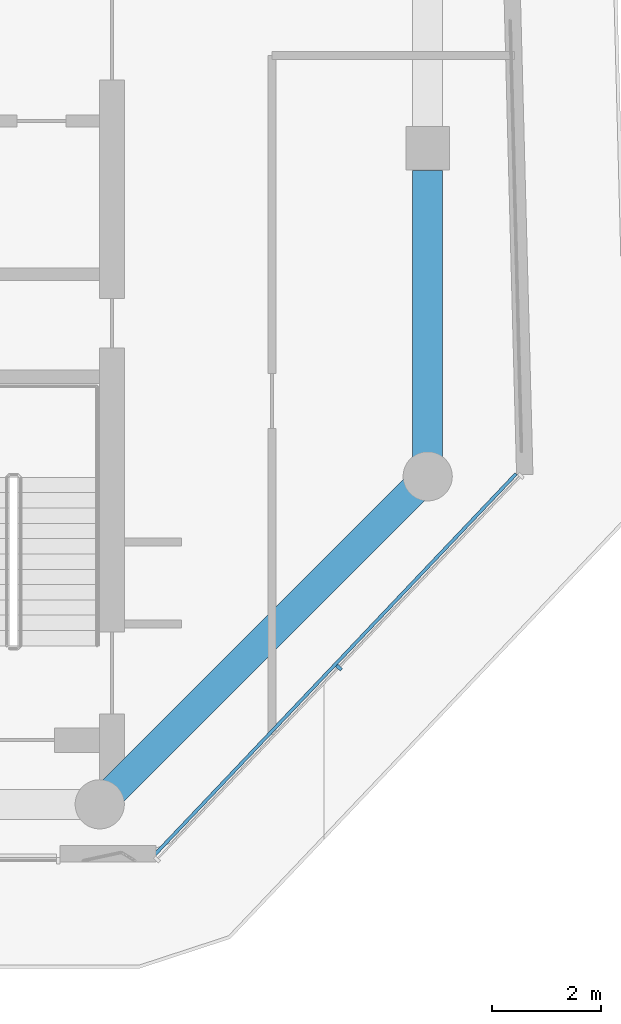
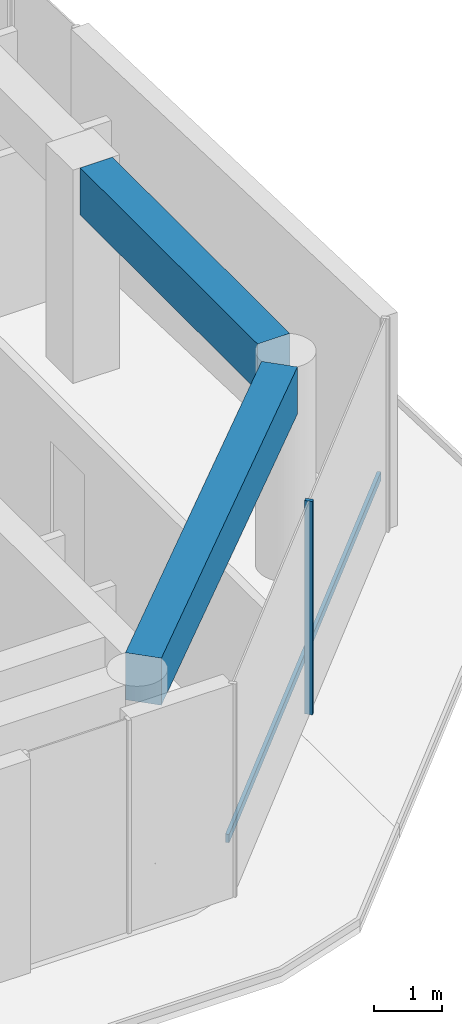
# One storey, part 3 of 20: 2 beams, 2 members, 1 element without a shape of its own.
"""IFC4 building model written with IfcOpenShell, lengths in metres."""

from ifc_helpers import new_model, si_unit, direction, frame, origin, origin_2d, place, context, subcontext, project, spatial, rectangle, extrude, material, layer, layer_set, material_profile, profile_set, type_object, element, aggregate, save


model = new_model("IFC4")

# Units and contexts
model_context = context("Model", 3, precision=1e-05, world=origin(), true_north=direction((0.0, 1.0)))
body_context = subcontext(model_context, "Body", "Model", "MODEL_VIEW")
ifc_project = project(units=[si_unit("LENGTHUNIT", "METRE"), si_unit("AREAUNIT", "SQUARE_METRE"), si_unit("VOLUMEUNIT", "CUBIC_METRE"), si_unit("PLANEANGLEUNIT", "RADIAN"), si_unit("MASSUNIT", "GRAM", prefix="KILO")], contexts=[model_context])

# Site, building, storey
site_placement = place(None, origin())
site = spatial("IfcSite", under=ifc_project, at=site_placement, CompositionType="ELEMENT")
building_placement = place(site_placement, origin())
building = spatial("IfcBuilding", under=site, at=building_placement, Name="Welwitschia Terrace Campus", CompositionType="ELEMENT")
storey_placement = place(building_placement, frame((0.0, 0.0, 222.199951171875)))
storey = spatial("IfcBuildingStorey", under=building, at=storey_placement, Name="L49", CompositionType="ELEMENT", Elevation=222.199951171875)

# Curtain wall, member
ifc_material_1 = material(Name="Bronze anodised aluminium", Category="aluminium")
ifc_layer = layer(ifc_material_1, 0.1201171875)
ifc_layer_set = layer_set([ifc_layer], Name="Bronze anodised aluminium")
curtain_wall_type = type_object("IfcCurtainWallType", Name="Curtain wall CW2 tower 6000", PredefinedType="NOTDEFINED", material=ifc_layer_set)
curtain_wall_placement = place(storey_placement, origin())
curtain_wall = element("IfcCurtainWall", 1, at=curtain_wall_placement, inside=storey, type_object=curtain_wall_type, Name="CW L49.4.0", PredefinedType="NOTDEFINED")
ifc_material_2 = material(Name="Bronze anodised aluminium", Category="aluminium")
ifc_material_profile_1 = material_profile(ifc_material_2, rectangle(XDim=0.1201171875, YDim=0.06005859375, at=origin_2d()))
ifc_profile_set_1 = profile_set([ifc_material_profile_1], Name="Bronze anodised aluminium")
member_type_1 = type_object("IfcMemberType", Name="Mullion 60x120", PredefinedType="MULLION", material=ifc_profile_set_1)
member_1_placement = place(storey_placement, frame((28.376708984375, 6.49951171875, 0.0), z_axis=(0.0, 0.0, 1.0), x_axis=(-0.725374371012, 0.688354575694, 0.0)))
member_1 = element("IfcMember", 2, at=member_1_placement, type_object=member_type_1, Name="Mullion L49.4.0.1", PredefinedType="MULLION", context=body_context, shape_type="SweptSolid", body=[
    extrude(rectangle(XDim=0.1201171875, YDim=0.06005859375, at=origin_2d()), origin(), (0.0, 0.0, 1.0), 3.85009765625),
])

# Beams
ifc_material_3 = material(Name="Concrete C50/60", Category="concrete")
ifc_material_profile_2 = material_profile(ifc_material_3, rectangle(XDim=0.550048828125, YDim=0.85009765625, at=origin_2d()))
ifc_profile_set_2 = profile_set([ifc_material_profile_2], Name="Concrete C50/60")
beam_type = type_object("IfcBeamType", Name="Ring spandrel 550x850", PredefinedType="SPANDREL", material=ifc_profile_set_2)
beam_1_placement = place(storey_placement, frame((24.25244140625, 4.25244140625, 3.425048828125), z_axis=(0.707106781187, 0.707106781187, 0.0), x_axis=(-0.707106781187, 0.707106781187, 0.0)))
element("IfcBeam", 3, at=beam_1_placement, inside=storey, type_object=beam_type, Name="Spandrel SP3", PredefinedType="SPANDREL", context=body_context, shape_type="SweptSolid", body=[
    extrude(rectangle(XDim=0.550048828125, YDim=0.85009765625, at=origin_2d()), origin(), (0.0, 0.0, 1.0), 7.771240234375),
])
beam_2_placement = place(storey_placement, frame((30.0, 10.35693359375, 3.425048828125), z_axis=(0.0, 1.0, 0.0), x_axis=(-1.0, 0.0, 0.0)))
element("IfcBeam", 4, at=beam_2_placement, inside=storey, type_object=beam_type, Name="Spandrel SP3", PredefinedType="SPANDREL", context=body_context, shape_type="SweptSolid", body=[
    extrude(rectangle(XDim=0.550048828125, YDim=0.85009765625, at=origin_2d()), origin(), (0.0, 0.0, 1.0), 5.24267578125),
])

# Member
ifc_material_4 = material(Name="Bronze anodised aluminium", Category="aluminium")
ifc_material_profile_3 = material_profile(ifc_material_4, rectangle(XDim=0.06005859375, YDim=0.14990234375, at=origin_2d()))
ifc_profile_set_3 = profile_set([ifc_material_profile_3], Name="Bronze anodised aluminium")
member_type_2 = type_object("IfcMemberType", Name="Transom 60x150", PredefinedType="USERDEFINED", material=ifc_profile_set_3)
member_2_placement = place(storey_placement, frame((25.00341796875, 3.075439453125, 1.0), z_axis=(0.68834680866, 0.725381741573, 0.0), x_axis=(-0.725381741573, 0.68834680866, 0.0)))
member_2 = element("IfcMember", 5, at=member_2_placement, type_object=member_type_2, Name="Transom L49.4.0", ObjectType="TRANSOM", PredefinedType="USERDEFINED", context=body_context, shape_type="SweptSolid", body=[
    extrude(rectangle(XDim=0.06005859375, YDim=0.14990234375, at=origin_2d()), origin(), (0.0, 0.0, 1.0), 9.611328125),
])

aggregate(curtain_wall, [member_1, member_2])

save(model, "model.ifc")
